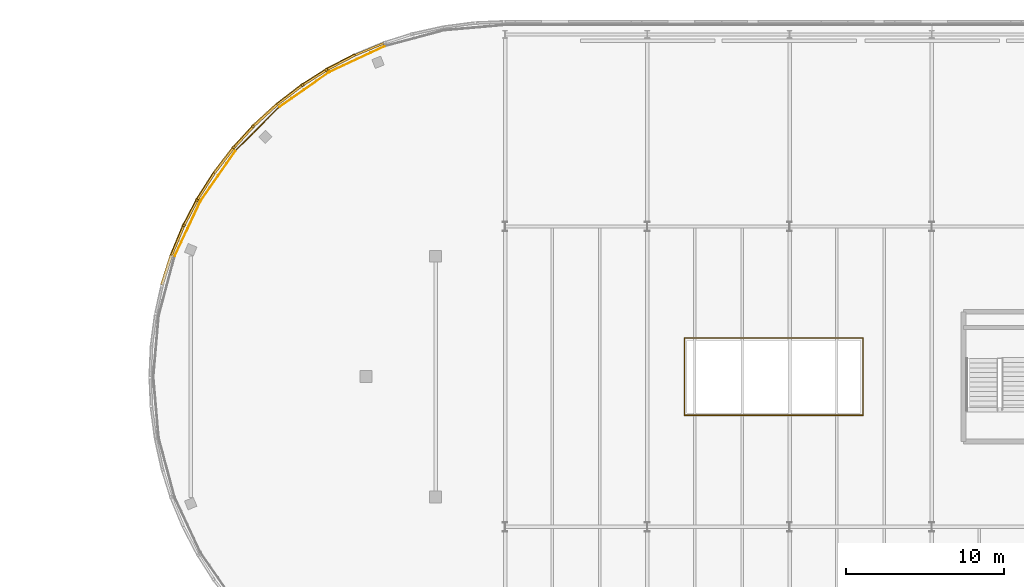
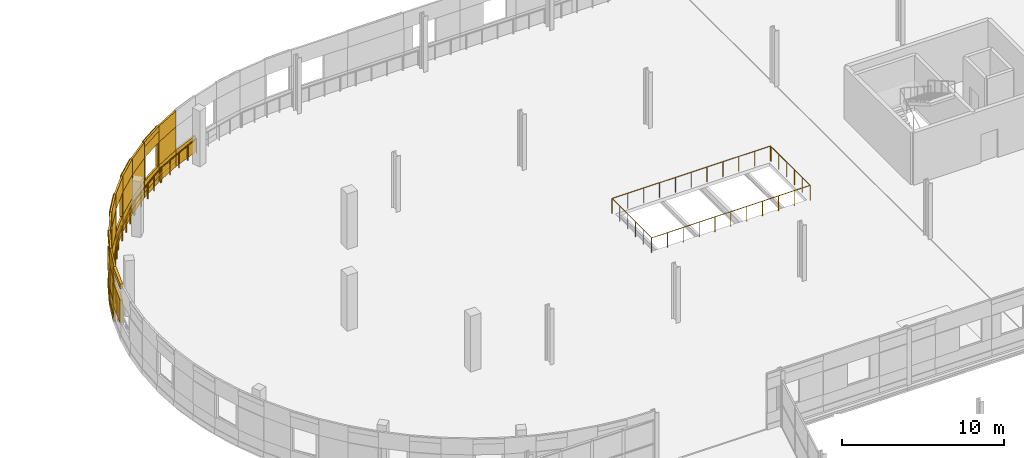
# One storey, part 122 of 132: 46 coverings, 7 railings.
"""IFC4 building model written with IfcOpenShell, lengths in metres."""

from ifc_helpers import new_model, si_unit, direction, frame, origin, origin_2d, place, context, subcontext, project, spatial, rectangle, circle, extrude, material, layer, layer_set, type_object, element, save


model = new_model("IFC4")

# Units and contexts
model_context = context("Model", 3, precision=1e-05, world=origin(), true_north=direction((0.0, 1.0)))
body_context = subcontext(model_context, "Body", "Model", "MODEL_VIEW")
ifc_project = project(units=[si_unit("LENGTHUNIT", "METRE"), si_unit("AREAUNIT", "SQUARE_METRE"), si_unit("VOLUMEUNIT", "CUBIC_METRE"), si_unit("PLANEANGLEUNIT", "RADIAN"), si_unit("MASSUNIT", "GRAM", prefix="KILO")], contexts=[model_context])

# Site, building, storey
site_placement = place(None, origin())
site = spatial("IfcSite", under=ifc_project, at=site_placement, CompositionType="ELEMENT")
building_placement = place(site_placement, origin())
building = spatial("IfcBuilding", under=site, at=building_placement, Name="Deido Ridge Mobility Hub", CompositionType="ELEMENT")
storey_placement = place(building_placement, frame((0.0, 0.0, 8.39990234375)))
storey = spatial("IfcBuildingStorey", under=building, at=storey_placement, Name="L02", CompositionType="ELEMENT", Elevation=8.39990234375)

# Coverings
ifc_material_1 = material(Name="Fired clay brick masonry", Category="masonry")
ifc_layer = layer(ifc_material_1, 0.114990234375, Name="Fired clay brick masonry")
ifc_layer_set = layer_set([ifc_layer], Name="Fired clay brick masonry")
covering_type = type_object("IfcCoveringType", Name="COV-BRK-SCREEN-115", PredefinedType="CLADDING", material=ifc_layer_set)
for number, where, z_axis, x_axis, name in (
    (1, (36.41796875, 124.218994140625, 0.0), (0.0, 0.0, 1.0), (-0.923872853285, -0.382699557047, 0.0), "Open brickwork spandrel course BKS1 (L02)"),
    (2, (34.644775390625, 123.392333984375, 0.0), (0.0, 0.0, 1.0), (-0.887018892077, -0.461733131905, 0.0), "Open brickwork spandrel course BKS1 (L02)"),
):
    element("IfcCovering", number, at=place(storey_placement, frame(where, z_axis=z_axis, x_axis=x_axis)), inside=storey, type_object=covering_type, Name=name, PredefinedType="CLADDING", context=body_context, shape_type="SweptSolid", body=[
        extrude(rectangle(XDim=1.9619140625, YDim=0.125, at=origin_2d()), origin(), (0.0, 0.0, 1.0), 1.25),
    ])
covering_1_placement = place(storey_placement, frame((34.632080078125, 123.416748046875, 0.000244140625), z_axis=(0.0, 0.0, 1.0), x_axis=(-0.887018892077, -0.461733131905, 0.0)))
element("IfcCovering", 3, at=covering_1_placement, inside=storey, type_object=covering_type, Name="Raised brick relief belt BKS1 (L02)", PredefinedType="CLADDING", context=body_context, shape_type="SweptSolid", body=[
    extrude(rectangle(XDim=1.9619140625, YDim=0.179931640625, at=origin_2d()), origin(), (0.0, 0.0, 1.0), 0.39990234375),
])
covering_2_placement = place(storey_placement, frame((34.644775390625, 123.392333984375, 3.0), z_axis=(0.0, 0.0, 1.0), x_axis=(-0.887018892077, -0.461733131905, 0.0)))
element("IfcCovering", 4, at=covering_2_placement, inside=storey, type_object=covering_type, Name="Open brickwork lintel course BKS1 (L02)", PredefinedType="CLADDING", context=body_context, shape_type="SweptSolid", body=[
    extrude(rectangle(XDim=1.9619140625, YDim=0.125, at=origin_2d()), origin(), (0.0, 0.0, 1.0), 1.199951171875),
])
covering_3_placement = place(storey_placement, frame((34.644775390625, 123.392333984375, 1.25), z_axis=(0.0, 0.0, 1.0), x_axis=(-0.887018892077, -0.461733131905, 0.0)))
element("IfcCovering", 5, at=covering_3_placement, inside=storey, type_object=covering_type, Name="Curved raised brickwork pier BKS1 (L02)", PredefinedType="CLADDING", context=body_context, shape_type="SweptSolid", body=[
    extrude(rectangle(XDim=1.9619140625, YDim=0.125, at=origin_2d()), origin(), (0.0, 0.0, 1.0), 1.75),
])
covering_4_placement = place(storey_placement, frame((32.950439453125, 122.4140625, 0.0), z_axis=(0.0, 0.0, 1.0), x_axis=(-0.843382068037, -0.537314328223, 0.0)))
element("IfcCovering", 6, at=covering_4_placement, inside=storey, type_object=covering_type, Name="Open brickwork spandrel course BKS1 (L02)", PredefinedType="CLADDING", context=body_context, shape_type="SweptSolid", body=[
    extrude(rectangle(XDim=1.9619140625, YDim=0.125, at=origin_2d()), origin(), (0.0, 0.0, 1.0), 1.25),
])
covering_5_placement = place(storey_placement, frame((32.935791015625, 122.437255859375, 0.000244140625), z_axis=(0.0, 0.0, 1.0), x_axis=(-0.843382068037, -0.537314328223, 0.0)))
element("IfcCovering", 7, at=covering_5_placement, inside=storey, type_object=covering_type, Name="Raised brick relief belt BKS1 (L02)", PredefinedType="CLADDING", context=body_context, shape_type="SweptSolid", body=[
    extrude(rectangle(XDim=1.9619140625, YDim=0.179931640625, at=origin_2d()), origin(), (0.0, 0.0, 1.0), 0.39990234375),
])
covering_6_placement = place(storey_placement, frame((32.950439453125, 122.4140625, 3.0), z_axis=(0.0, 0.0, 1.0), x_axis=(-0.843382068037, -0.537314328223, 0.0)))
element("IfcCovering", 8, at=covering_6_placement, inside=storey, type_object=covering_type, Name="Open brickwork lintel course BKS1 (L02)", PredefinedType="CLADDING", context=body_context, shape_type="SweptSolid", body=[
    extrude(rectangle(XDim=1.9619140625, YDim=0.125, at=origin_2d()), origin(), (0.0, 0.0, 1.0), 1.199951171875),
])
covering_7_placement = place(storey_placement, frame((32.935791015625, 122.437255859375, 3.83984375), z_axis=(0.0, 0.0, 1.0), x_axis=(-0.843382068037, -0.537314328223, 0.0)))
element("IfcCovering", 9, at=covering_7_placement, inside=storey, type_object=covering_type, Name="Raised brick relief cornice BKS1 (L02)", PredefinedType="CLADDING", context=body_context, shape_type="SweptSolid", body=[
    extrude(rectangle(XDim=1.9619140625, YDim=0.179931640625, at=origin_2d()), origin(), (0.0, 0.0, 1.0), 0.360107421875),
])
for number, where, z_axis, x_axis, name in (
    (10, (33.695556640625, 122.92138671875, 1.25), (0.0, 0.0, 1.0), (-0.843382068037, -0.537314328223, 0.0), "Curved brick jamb nib BKS1 (L02)"),
    (11, (32.17578125, 121.953125, 1.25), (0.0, 0.0, 1.0), (-0.843382068037, -0.537314328223, 0.0), "Curved brick jamb nib BKS1 (L02)"),
):
    element("IfcCovering", number, at=place(storey_placement, frame(where, z_axis=z_axis, x_axis=x_axis)), inside=storey, type_object=covering_type, Name=name, PredefinedType="CLADDING", context=body_context, shape_type="SweptSolid", body=[
        extrude(rectangle(XDim=0.152099609375, YDim=0.179931640625, at=origin_2d()), origin(), (0.0, 0.0, 1.0), 1.75),
    ])
covering_8_placement = place(storey_placement, frame((31.347900390625, 121.2919921875, 0.0), z_axis=(0.0, 0.0, 1.0), x_axis=(-0.793353340291, -0.608761429009, 0.0)))
element("IfcCovering", 12, at=covering_8_placement, inside=storey, type_object=covering_type, Name="Open brickwork spandrel course BKS1 (L02)", PredefinedType="CLADDING", context=body_context, shape_type="SweptSolid", body=[
    extrude(rectangle(XDim=1.9619140625, YDim=0.125, at=origin_2d()), origin(), (0.0, 0.0, 1.0), 1.25),
])
covering_9_placement = place(storey_placement, frame((31.3310546875, 121.313720703125, 0.000244140625), z_axis=(0.0, 0.0, 1.0), x_axis=(-0.793353340291, -0.608761429009, 0.0)))
element("IfcCovering", 13, at=covering_9_placement, inside=storey, type_object=covering_type, Name="Raised brick relief belt BKS1 (L02)", PredefinedType="CLADDING", context=body_context, shape_type="SweptSolid", body=[
    extrude(rectangle(XDim=1.9619140625, YDim=0.179931640625, at=origin_2d()), origin(), (0.0, 0.0, 1.0), 0.39990234375),
])
covering_10_placement = place(storey_placement, frame((31.347900390625, 121.2919921875, 3.0), z_axis=(0.0, 0.0, 1.0), x_axis=(-0.793353340291, -0.608761429009, 0.0)))
element("IfcCovering", 14, at=covering_10_placement, inside=storey, type_object=covering_type, Name="Open brickwork lintel course BKS1 (L02)", PredefinedType="CLADDING", context=body_context, shape_type="SweptSolid", body=[
    extrude(rectangle(XDim=1.9619140625, YDim=0.125, at=origin_2d()), origin(), (0.0, 0.0, 1.0), 1.199951171875),
])
covering_11_placement = place(storey_placement, frame((31.347900390625, 121.2919921875, 1.25), z_axis=(0.0, 0.0, 1.0), x_axis=(-0.793353340291, -0.608761429009, 0.0)))
element("IfcCovering", 15, at=covering_11_placement, inside=storey, type_object=covering_type, Name="Curved raised brickwork pier BKS1 (L02)", PredefinedType="CLADDING", context=body_context, shape_type="SweptSolid", body=[
    extrude(rectangle(XDim=1.9619140625, YDim=0.125, at=origin_2d()), origin(), (0.0, 0.0, 1.0), 1.75),
])
covering_12_placement = place(storey_placement, frame((29.84912109375, 120.0341796875, 0.0), z_axis=(0.0, 0.0, 1.0), x_axis=(-0.737289127971, -0.675577339596, 0.0)))
element("IfcCovering", 16, at=covering_12_placement, inside=storey, type_object=covering_type, Name="Open brickwork spandrel course BKS1 (L02)", PredefinedType="CLADDING", context=body_context, shape_type="SweptSolid", body=[
    extrude(rectangle(XDim=1.9619140625, YDim=0.125, at=origin_2d()), origin(), (0.0, 0.0, 1.0), 1.25),
])
covering_13_placement = place(storey_placement, frame((29.83056640625, 120.0546875, 0.000244140625), z_axis=(0.0, 0.0, 1.0), x_axis=(-0.737289127971, -0.675577339596, 0.0)))
element("IfcCovering", 17, at=covering_13_placement, inside=storey, type_object=covering_type, Name="Raised brick relief belt BKS1 (L02)", PredefinedType="CLADDING", context=body_context, shape_type="SweptSolid", body=[
    extrude(rectangle(XDim=1.9619140625, YDim=0.179931640625, at=origin_2d()), origin(), (0.0, 0.0, 1.0), 0.39990234375),
])
covering_14_placement = place(storey_placement, frame((29.84912109375, 120.0341796875, 3.0), z_axis=(0.0, 0.0, 1.0), x_axis=(-0.737289127971, -0.675577339596, 0.0)))
element("IfcCovering", 18, at=covering_14_placement, inside=storey, type_object=covering_type, Name="Open brickwork lintel course BKS1 (L02)", PredefinedType="CLADDING", context=body_context, shape_type="SweptSolid", body=[
    extrude(rectangle(XDim=1.9619140625, YDim=0.125, at=origin_2d()), origin(), (0.0, 0.0, 1.0), 1.199951171875),
])
covering_15_placement = place(storey_placement, frame((29.83056640625, 120.0546875, 3.83984375), z_axis=(0.0, 0.0, 1.0), x_axis=(-0.737289127971, -0.675577339596, 0.0)))
element("IfcCovering", 19, at=covering_15_placement, inside=storey, type_object=covering_type, Name="Raised brick relief cornice BKS1 (L02)", PredefinedType="CLADDING", context=body_context, shape_type="SweptSolid", body=[
    extrude(rectangle(XDim=1.9619140625, YDim=0.179931640625, at=origin_2d()), origin(), (0.0, 0.0, 1.0), 0.360107421875),
])
covering_16_placement = place(storey_placement, frame((29.83056640625, 120.0546875, 1.25), z_axis=(0.0, 0.0, 1.0), x_axis=(-0.737289127971, -0.675577339596, 0.0)))
element("IfcCovering", 20, at=covering_16_placement, inside=storey, type_object=covering_type, Name="Curved raised brickwork pier BKS1 (L02)", PredefinedType="CLADDING", context=body_context, shape_type="SweptSolid", body=[
    extrude(rectangle(XDim=1.9619140625, YDim=0.179931640625, at=origin_2d()), origin(), (0.0, 0.0, 1.0), 1.75),
])
covering_17_placement = place(storey_placement, frame((28.4658203125, 118.65087890625, 0.0), z_axis=(0.0, 0.0, 1.0), x_axis=(-0.675577339596, -0.737289127971, 0.0)))
element("IfcCovering", 21, at=covering_17_placement, inside=storey, type_object=covering_type, Name="Open brickwork spandrel course BKS1 (L02)", PredefinedType="CLADDING", context=body_context, shape_type="SweptSolid", body=[
    extrude(rectangle(XDim=1.9619140625, YDim=0.125, at=origin_2d()), origin(), (0.0, 0.0, 1.0), 1.25),
])
covering_18_placement = place(storey_placement, frame((28.4453125, 118.66943359375, 0.000244140625), z_axis=(0.0, 0.0, 1.0), x_axis=(-0.675577339596, -0.737289127971, 0.0)))
element("IfcCovering", 22, at=covering_18_placement, inside=storey, type_object=covering_type, Name="Raised brick relief belt BKS1 (L02)", PredefinedType="CLADDING", context=body_context, shape_type="SweptSolid", body=[
    extrude(rectangle(XDim=1.9619140625, YDim=0.179931640625, at=origin_2d()), origin(), (0.0, 0.0, 1.0), 0.39990234375),
])
covering_19_placement = place(storey_placement, frame((28.4658203125, 118.65087890625, 3.0), z_axis=(0.0, 0.0, 1.0), x_axis=(-0.675577339596, -0.737289127971, 0.0)))
element("IfcCovering", 23, at=covering_19_placement, inside=storey, type_object=covering_type, Name="Open brickwork lintel course BKS1 (L02)", PredefinedType="CLADDING", context=body_context, shape_type="SweptSolid", body=[
    extrude(rectangle(XDim=1.9619140625, YDim=0.125, at=origin_2d()), origin(), (0.0, 0.0, 1.0), 1.199951171875),
])
for number, where, z_axis, x_axis, name in (
    (24, (29.05419921875, 119.333740234375, 1.25), (0.0, 0.0, 1.0), (-0.675577339596, -0.737289127971, 0.0), "Curved brick jamb nib BKS1 (L02)"),
    (25, (27.836669921875, 118.005126953125, 1.25), (0.0, 0.0, 1.0), (-0.675577339596, -0.737289127971, 0.0), "Curved brick jamb nib BKS1 (L02)"),
):
    element("IfcCovering", number, at=place(storey_placement, frame(where, z_axis=z_axis, x_axis=x_axis)), inside=storey, type_object=covering_type, Name=name, PredefinedType="CLADDING", context=body_context, shape_type="SweptSolid", body=[
        extrude(rectangle(XDim=0.152099609375, YDim=0.179931640625, at=origin_2d()), origin(), (0.0, 0.0, 1.0), 1.75),
    ])
covering_20_placement = place(storey_placement, frame((27.2080078125, 117.152099609375, 0.0), z_axis=(0.0, 0.0, 1.0), x_axis=(-0.608761429009, -0.793353340291, 0.0)))
element("IfcCovering", 26, at=covering_20_placement, inside=storey, type_object=covering_type, Name="Open brickwork spandrel course BKS1 (L02)", PredefinedType="CLADDING", context=body_context, shape_type="SweptSolid", body=[
    extrude(rectangle(XDim=1.9619140625, YDim=0.125, at=origin_2d()), origin(), (0.0, 0.0, 1.0), 1.25),
])
covering_21_placement = place(storey_placement, frame((27.186279296875, 117.1689453125, 0.000244140625), z_axis=(0.0, 0.0, 1.0), x_axis=(-0.608761429009, -0.793353340291, 0.0)))
element("IfcCovering", 27, at=covering_21_placement, inside=storey, type_object=covering_type, Name="Raised brick relief belt BKS1 (L02)", PredefinedType="CLADDING", context=body_context, shape_type="SweptSolid", body=[
    extrude(rectangle(XDim=1.9619140625, YDim=0.179931640625, at=origin_2d()), origin(), (0.0, 0.0, 1.0), 0.39990234375),
])
covering_22_placement = place(storey_placement, frame((27.2080078125, 117.152099609375, 3.0), z_axis=(0.0, 0.0, 1.0), x_axis=(-0.608761429009, -0.793353340291, 0.0)))
element("IfcCovering", 28, at=covering_22_placement, inside=storey, type_object=covering_type, Name="Open brickwork lintel course BKS1 (L02)", PredefinedType="CLADDING", context=body_context, shape_type="SweptSolid", body=[
    extrude(rectangle(XDim=1.9619140625, YDim=0.125, at=origin_2d()), origin(), (0.0, 0.0, 1.0), 1.199951171875),
])
covering_23_placement = place(storey_placement, frame((27.186279296875, 117.1689453125, 3.83984375), z_axis=(0.0, 0.0, 1.0), x_axis=(-0.608761429009, -0.793353340291, 0.0)))
element("IfcCovering", 29, at=covering_23_placement, inside=storey, type_object=covering_type, Name="Raised brick relief cornice BKS1 (L02)", PredefinedType="CLADDING", context=body_context, shape_type="SweptSolid", body=[
    extrude(rectangle(XDim=1.9619140625, YDim=0.179931640625, at=origin_2d()), origin(), (0.0, 0.0, 1.0), 0.360107421875),
])
covering_24_placement = place(storey_placement, frame((27.186279296875, 117.1689453125, 1.25), z_axis=(0.0, 0.0, 1.0), x_axis=(-0.608761429009, -0.793353340291, 0.0)))
element("IfcCovering", 30, at=covering_24_placement, inside=storey, type_object=covering_type, Name="Curved raised brickwork pier BKS1 (L02)", PredefinedType="CLADDING", context=body_context, shape_type="SweptSolid", body=[
    extrude(rectangle(XDim=1.9619140625, YDim=0.179931640625, at=origin_2d()), origin(), (0.0, 0.0, 1.0), 1.75),
])
covering_25_placement = place(storey_placement, frame((26.0859375, 115.549560546875, 0.0), z_axis=(0.0, 0.0, 1.0), x_axis=(-0.537314328223, -0.843382068037, 0.0)))
element("IfcCovering", 31, at=covering_25_placement, inside=storey, type_object=covering_type, Name="Open brickwork spandrel course BKS1 (L02)", PredefinedType="CLADDING", context=body_context, shape_type="SweptSolid", body=[
    extrude(rectangle(XDim=1.9619140625, YDim=0.125, at=origin_2d()), origin(), (0.0, 0.0, 1.0), 1.25),
])
covering_26_placement = place(storey_placement, frame((26.062744140625, 115.564208984375, 0.000244140625), z_axis=(0.0, 0.0, 1.0), x_axis=(-0.537314328223, -0.843382068037, 0.0)))
element("IfcCovering", 32, at=covering_26_placement, inside=storey, type_object=covering_type, Name="Raised brick relief belt BKS1 (L02)", PredefinedType="CLADDING", context=body_context, shape_type="SweptSolid", body=[
    extrude(rectangle(XDim=1.9619140625, YDim=0.179931640625, at=origin_2d()), origin(), (0.0, 0.0, 1.0), 0.39990234375),
])
covering_27_placement = place(storey_placement, frame((26.0859375, 115.549560546875, 3.0), z_axis=(0.0, 0.0, 1.0), x_axis=(-0.537314328223, -0.843382068037, 0.0)))
element("IfcCovering", 33, at=covering_27_placement, inside=storey, type_object=covering_type, Name="Open brickwork lintel course BKS1 (L02)", PredefinedType="CLADDING", context=body_context, shape_type="SweptSolid", body=[
    extrude(rectangle(XDim=1.9619140625, YDim=0.125, at=origin_2d()), origin(), (0.0, 0.0, 1.0), 1.199951171875),
])
covering_28_placement = place(storey_placement, frame((26.0859375, 115.549560546875, 1.25), z_axis=(0.0, 0.0, 1.0), x_axis=(-0.537314328223, -0.843382068037, 0.0)))
element("IfcCovering", 34, at=covering_28_placement, inside=storey, type_object=covering_type, Name="Curved raised brickwork pier BKS1 (L02)", PredefinedType="CLADDING", context=body_context, shape_type="SweptSolid", body=[
    extrude(rectangle(XDim=1.9619140625, YDim=0.125, at=origin_2d()), origin(), (0.0, 0.0, 1.0), 1.75),
])
covering_29_placement = place(storey_placement, frame((25.107666015625, 113.855224609375, 0.0), z_axis=(0.0, 0.0, 1.0), x_axis=(-0.461733131905, -0.887018892077, 0.0)))
element("IfcCovering", 35, at=covering_29_placement, inside=storey, type_object=covering_type, Name="Open brickwork spandrel course BKS1 (L02)", PredefinedType="CLADDING", context=body_context, shape_type="SweptSolid", body=[
    extrude(rectangle(XDim=1.9619140625, YDim=0.125, at=origin_2d()), origin(), (0.0, 0.0, 1.0), 1.25),
])
covering_30_placement = place(storey_placement, frame((25.083251953125, 113.867919921875, 0.000244140625), z_axis=(0.0, 0.0, 1.0), x_axis=(-0.461733131905, -0.887018892077, 0.0)))
element("IfcCovering", 36, at=covering_30_placement, inside=storey, type_object=covering_type, Name="Raised brick relief belt BKS1 (L02)", PredefinedType="CLADDING", context=body_context, shape_type="SweptSolid", body=[
    extrude(rectangle(XDim=1.9619140625, YDim=0.179931640625, at=origin_2d()), origin(), (0.0, 0.0, 1.0), 0.39990234375),
])
covering_31_placement = place(storey_placement, frame((25.107666015625, 113.855224609375, 3.0), z_axis=(0.0, 0.0, 1.0), x_axis=(-0.461733131905, -0.887018892077, 0.0)))
element("IfcCovering", 37, at=covering_31_placement, inside=storey, type_object=covering_type, Name="Open brickwork lintel course BKS1 (L02)", PredefinedType="CLADDING", context=body_context, shape_type="SweptSolid", body=[
    extrude(rectangle(XDim=1.9619140625, YDim=0.125, at=origin_2d()), origin(), (0.0, 0.0, 1.0), 1.199951171875),
])
covering_32_placement = place(storey_placement, frame((25.083251953125, 113.867919921875, 3.83984375), z_axis=(0.0, 0.0, 1.0), x_axis=(-0.461733131905, -0.887018892077, 0.0)))
element("IfcCovering", 38, at=covering_32_placement, inside=storey, type_object=covering_type, Name="Raised brick relief cornice BKS1 (L02)", PredefinedType="CLADDING", context=body_context, shape_type="SweptSolid", body=[
    extrude(rectangle(XDim=1.9619140625, YDim=0.179931640625, at=origin_2d()), origin(), (0.0, 0.0, 1.0), 0.360107421875),
])
for number, where, z_axis, x_axis, name in (
    (39, (25.49951171875, 114.667236328125, 1.25), (0.0, 0.0, 1.0), (-0.461733131905, -0.887018892077, 0.0), "Curved brick jamb nib BKS1 (L02)"),
    (40, (24.667236328125, 113.068603515625, 1.25), (0.0, 0.0, 1.0), (-0.461733131905, -0.887018892077, 0.0), "Curved brick jamb nib BKS1 (L02)"),
):
    element("IfcCovering", number, at=place(storey_placement, frame(where, z_axis=z_axis, x_axis=x_axis)), inside=storey, type_object=covering_type, Name=name, PredefinedType="CLADDING", context=body_context, shape_type="SweptSolid", body=[
        extrude(rectangle(XDim=0.152099609375, YDim=0.179931640625, at=origin_2d()), origin(), (0.0, 0.0, 1.0), 1.75),
    ])
covering_33_placement = place(storey_placement, frame((24.281005859375, 112.08203125, 0.0), z_axis=(0.0, 0.0, 1.0), x_axis=(-0.382699557047, -0.923872853285, 0.0)))
element("IfcCovering", 41, at=covering_33_placement, inside=storey, type_object=covering_type, Name="Open brickwork spandrel course BKS1 (L02)", PredefinedType="CLADDING", context=body_context, shape_type="SweptSolid", body=[
    extrude(rectangle(XDim=1.9619140625, YDim=0.125, at=origin_2d()), origin(), (0.0, 0.0, 1.0), 1.25),
])
covering_34_placement = place(storey_placement, frame((24.255615234375, 112.0927734375, 0.000244140625), z_axis=(0.0, 0.0, 1.0), x_axis=(-0.382699557047, -0.923872853285, 0.0)))
element("IfcCovering", 42, at=covering_34_placement, inside=storey, type_object=covering_type, Name="Raised brick relief belt BKS1 (L02)", PredefinedType="CLADDING", context=body_context, shape_type="SweptSolid", body=[
    extrude(rectangle(XDim=1.9619140625, YDim=0.179931640625, at=origin_2d()), origin(), (0.0, 0.0, 1.0), 0.39990234375),
])
covering_35_placement = place(storey_placement, frame((24.281005859375, 112.08203125, 3.0), z_axis=(0.0, 0.0, 1.0), x_axis=(-0.382699557047, -0.923872853285, 0.0)))
element("IfcCovering", 43, at=covering_35_placement, inside=storey, type_object=covering_type, Name="Open brickwork lintel course BKS1 (L02)", PredefinedType="CLADDING", context=body_context, shape_type="SweptSolid", body=[
    extrude(rectangle(XDim=1.9619140625, YDim=0.125, at=origin_2d()), origin(), (0.0, 0.0, 1.0), 1.199951171875),
])
covering_36_placement = place(storey_placement, frame((24.281005859375, 112.08203125, 1.25), z_axis=(0.0, 0.0, 1.0), x_axis=(-0.382699557047, -0.923872853285, 0.0)))
element("IfcCovering", 44, at=covering_36_placement, inside=storey, type_object=covering_type, Name="Curved raised brickwork pier BKS1 (L02)", PredefinedType="CLADDING", context=body_context, shape_type="SweptSolid", body=[
    extrude(rectangle(XDim=1.9619140625, YDim=0.125, at=origin_2d()), origin(), (0.0, 0.0, 1.0), 1.75),
])
covering_37_placement = place(storey_placement, frame((23.585693359375, 110.251953125, 3.83984375), z_axis=(0.0, 0.0, 1.0), x_axis=(-0.300672508319, -0.95372744678, 0.0)))
element("IfcCovering", 45, at=covering_37_placement, inside=storey, type_object=covering_type, Name="Raised brick relief cornice BKS1 (L02)", PredefinedType="CLADDING", context=body_context, shape_type="SweptSolid", body=[
    extrude(rectangle(XDim=1.9619140625, YDim=0.179931640625, at=origin_2d()), origin(), (0.0, 0.0, 1.0), 0.360107421875),
])
covering_38_placement = place(storey_placement, frame((23.585693359375, 110.251953125, 1.25), z_axis=(0.0, 0.0, 1.0), x_axis=(-0.300672508319, -0.95372744678, 0.0)))
element("IfcCovering", 46, at=covering_38_placement, inside=storey, type_object=covering_type, Name="Curved raised brickwork pier BKS1 (L02)", PredefinedType="CLADDING", context=body_context, shape_type="SweptSolid", body=[
    extrude(rectangle(XDim=1.9619140625, YDim=0.179931640625, at=origin_2d()), origin(), (0.0, 0.0, 1.0), 1.75),
])

# Railings
ifc_material_2 = material(Name="Galvanised steel work", Category="steel")
railing_type = type_object("IfcRailingType", Name="RL-GRD-EXT-1150", PredefinedType="GUARDRAIL", material=ifc_material_2)
railing_1_placement = place(storey_placement, frame((37.353759765625, 124.391357421875, 0.0)))
element("IfcRailing", 47, at=railing_1_placement, inside=storey, type_object=railing_type, Name="Parking drum perimeter guard (L02)", PredefinedType="GUARDRAIL", context=body_context, shape_type="SweptSolid", body=[
    extrude(circle(Radius=0.02392578125, at=origin_2d()), frame((0.0, 0.0, 1.1259765625), z_axis=(-0.906281639574, -0.422674330627, 0.0), x_axis=(0.422674330627, -0.906281639574, 0.0)), (0.0, 0.0, 1.0), 3.79833984375),
    extrude(circle(Radius=0.02099609375, at=origin_2d()), origin(), (0.0, 0.0, 1.0), 1.101806640625),
    extrude(circle(Radius=0.02099609375, at=origin_2d()), frame((-0.860595703125, -0.4013671875, 0.0)), (0.0, 0.0, 1.0), 1.101806640625),
    extrude(circle(Radius=0.02099609375, at=origin_2d()), frame((-1.72119140625, -0.802734375, 0.0)), (0.0, 0.0, 1.0), 1.101806640625),
    extrude(circle(Radius=0.02099609375, at=origin_2d()), frame((-2.581787109375, -1.2041015625, 0.0)), (0.0, 0.0, 1.0), 1.101806640625),
    extrude(circle(Radius=0.02099609375, at=origin_2d()), frame((-3.4423828125, -1.60546875, 0.0)), (0.0, 0.0, 1.0), 1.101806640625),
])
railing_2_placement = place(storey_placement, frame((33.84228515625, 122.74609375, 0.0)))
element("IfcRailing", 48, at=railing_2_placement, inside=storey, type_object=railing_type, Name="Parking drum perimeter guard (L02)", PredefinedType="GUARDRAIL", context=body_context, shape_type="SweptSolid", body=[
    extrude(circle(Radius=0.02392578125, at=origin_2d()), frame((0.0, 0.0, 1.1259765625), z_axis=(-0.819156425271, -0.573570179609, 0.0), x_axis=(0.573570179609, -0.819156425271, 0.0)), (0.0, 0.0, 1.0), 3.798583984375),
    extrude(circle(Radius=0.02099609375, at=origin_2d()), origin(), (0.0, 0.0, 1.0), 1.101806640625),
    extrude(circle(Radius=0.02099609375, at=origin_2d()), frame((-0.77783203125, -0.544677734375, 0.0)), (0.0, 0.0, 1.0), 1.101806640625),
    extrude(circle(Radius=0.02099609375, at=origin_2d()), frame((-1.5556640625, -1.08935546875, 0.0)), (0.0, 0.0, 1.0), 1.101806640625),
    extrude(circle(Radius=0.02099609375, at=origin_2d()), frame((-2.333740234375, -1.634033203125, 0.0)), (0.0, 0.0, 1.0), 1.101806640625),
    extrude(circle(Radius=0.02099609375, at=origin_2d()), frame((-3.111572265625, -2.1787109375, 0.0)), (0.0, 0.0, 1.0), 1.101806640625),
])
railing_3_placement = place(storey_placement, frame((30.669677734375, 120.51611328125, 0.0)))
element("IfcRailing", 49, at=railing_3_placement, inside=storey, type_object=railing_type, Name="Parking drum perimeter guard (L02)", PredefinedType="GUARDRAIL", context=body_context, shape_type="SweptSolid", body=[
    extrude(circle(Radius=0.02392578125, at=origin_2d()), frame((0.0, 0.0, 1.1259765625), z_axis=(-0.707106781187, -0.707106781187, 0.0), x_axis=(0.707106781187, -0.707106781187, 0.0)), (0.0, 0.0, 1.0), 3.79833984375),
    extrude(circle(Radius=0.02099609375, at=origin_2d()), origin(), (0.0, 0.0, 1.0), 1.101806640625),
    extrude(circle(Radius=0.02099609375, at=origin_2d()), frame((-0.67138671875, -0.67138671875, 0.0)), (0.0, 0.0, 1.0), 1.101806640625),
    extrude(circle(Radius=0.02099609375, at=origin_2d()), frame((-1.3427734375, -1.3427734375, 0.0)), (0.0, 0.0, 1.0), 1.101806640625),
    extrude(circle(Radius=0.02099609375, at=origin_2d()), frame((-2.014404296875, -2.014404296875, 0.0)), (0.0, 0.0, 1.0), 1.101806640625),
    extrude(circle(Radius=0.02099609375, at=origin_2d()), frame((-2.685791015625, -2.685791015625, 0.0)), (0.0, 0.0, 1.0), 1.101806640625),
])
railing_4_placement = place(storey_placement, frame((27.9326171875, 117.769287109375, 0.0)))
element("IfcRailing", 50, at=railing_4_placement, inside=storey, type_object=railing_type, Name="Parking drum perimeter guard (L02)", PredefinedType="GUARDRAIL", context=body_context, shape_type="SweptSolid", body=[
    extrude(circle(Radius=0.02392578125, at=origin_2d()), frame((0.0, 0.0, 1.1259765625), z_axis=(-0.573570179609, -0.819156425271, 0.0), x_axis=(0.819156425271, -0.573570179609, 0.0)), (0.0, 0.0, 1.0), 3.798583984375),
    extrude(circle(Radius=0.02099609375, at=origin_2d()), origin(), (0.0, 0.0, 1.0), 1.101806640625),
    extrude(circle(Radius=0.02099609375, at=origin_2d()), frame((-0.544677734375, -0.77783203125, 0.0)), (0.0, 0.0, 1.0), 1.101806640625),
    extrude(circle(Radius=0.02099609375, at=origin_2d()), frame((-1.08935546875, -1.5556640625, 0.0)), (0.0, 0.0, 1.0), 1.101806640625),
    extrude(circle(Radius=0.02099609375, at=origin_2d()), frame((-1.634033203125, -2.333740234375, 0.0)), (0.0, 0.0, 1.0), 1.101806640625),
    extrude(circle(Radius=0.02099609375, at=origin_2d()), frame((-2.1787109375, -3.111572265625, 0.0)), (0.0, 0.0, 1.0), 1.101806640625),
])
railing_5_placement = place(storey_placement, frame((25.714111328125, 114.588623046875, 0.0)))
element("IfcRailing", 51, at=railing_5_placement, inside=storey, type_object=railing_type, Name="Parking drum perimeter guard (L02)", PredefinedType="GUARDRAIL", context=body_context, shape_type="SweptSolid", body=[
    extrude(circle(Radius=0.02392578125, at=origin_2d()), frame((0.0, 0.0, 1.1259765625), z_axis=(-0.422674330627, -0.906281639574, 0.0), x_axis=(0.906281639574, -0.422674330627, 0.0)), (0.0, 0.0, 1.0), 3.79833984375),
    extrude(circle(Radius=0.02099609375, at=origin_2d()), origin(), (0.0, 0.0, 1.0), 1.101806640625),
    extrude(circle(Radius=0.02099609375, at=origin_2d()), frame((-0.4013671875, -0.860595703125, 0.0)), (0.0, 0.0, 1.0), 1.101806640625),
    extrude(circle(Radius=0.02099609375, at=origin_2d()), frame((-0.802734375, -1.72119140625, 0.0)), (0.0, 0.0, 1.0), 1.101806640625),
    extrude(circle(Radius=0.02099609375, at=origin_2d()), frame((-1.2041015625, -2.581787109375, 0.0)), (0.0, 0.0, 1.0), 1.101806640625),
    extrude(circle(Radius=0.02099609375, at=origin_2d()), frame((-1.60546875, -3.4423828125, 0.0)), (0.0, 0.0, 1.0), 1.101806640625),
])
railing_6_placement = place(storey_placement, frame((56.35009765625, 101.050048828125, 0.0)))
element("IfcRailing", 52, at=railing_6_placement, inside=storey, type_object=railing_type, Name="Parking west lightwell guard (L02) A", PredefinedType="GUARDRAIL", context=body_context, shape_type="SweptSolid", body=[
    extrude(circle(Radius=0.02392578125, at=origin_2d()), frame((0.0, 0.0, 1.1259765625), z_axis=(1.0, 0.0, 0.0), x_axis=(0.0, 1.0, 0.0)), (0.0, 0.0, 1.0), 11.2998046875),
    extrude(circle(Radius=0.02392578125, at=origin_2d()), frame((11.2998046875, 0.0, 1.1259765625), z_axis=(0.0, 1.0, 0.0), x_axis=(-1.0, 0.0, 0.0)), (0.0, 0.0, 1.0), 4.83984375),
    extrude(circle(Radius=0.02099609375, at=origin_2d()), origin(), (0.0, 0.0, 1.0), 1.101806640625),
    extrude(circle(Radius=0.02099609375, at=origin_2d()), frame((1.1298828125, 0.0, 0.0)), (0.0, 0.0, 1.0), 1.101806640625),
    extrude(circle(Radius=0.02099609375, at=origin_2d()), frame((2.260009765625, 0.0, 0.0)), (0.0, 0.0, 1.0), 1.101806640625),
    extrude(circle(Radius=0.02099609375, at=origin_2d()), frame((3.389892578125, 0.0, 0.0)), (0.0, 0.0, 1.0), 1.101806640625),
    extrude(circle(Radius=0.02099609375, at=origin_2d()), frame((4.52001953125, 0.0, 0.0)), (0.0, 0.0, 1.0), 1.101806640625),
    extrude(circle(Radius=0.02099609375, at=origin_2d()), frame((5.64990234375, 0.0, 0.0)), (0.0, 0.0, 1.0), 1.101806640625),
    extrude(circle(Radius=0.02099609375, at=origin_2d()), frame((6.77978515625, 0.0, 0.0)), (0.0, 0.0, 1.0), 1.101806640625),
    extrude(circle(Radius=0.02099609375, at=origin_2d()), frame((7.909912109375, 0.0, 0.0)), (0.0, 0.0, 1.0), 1.101806640625),
    extrude(circle(Radius=0.02099609375, at=origin_2d()), frame((9.039794921875, 0.0, 0.0)), (0.0, 0.0, 1.0), 1.101806640625),
    extrude(circle(Radius=0.02099609375, at=origin_2d()), frame((10.169921875, 0.0, 0.0)), (0.0, 0.0, 1.0), 1.101806640625),
    extrude(circle(Radius=0.02099609375, at=origin_2d()), frame((11.2998046875, 0.0, 0.0)), (0.0, 0.0, 1.0), 1.101806640625),
    extrude(circle(Radius=0.02099609375, at=origin_2d()), frame((11.2998046875, 0.968017578125, 0.0)), (0.0, 0.0, 1.0), 1.101806640625),
    extrude(circle(Radius=0.02099609375, at=origin_2d()), frame((11.2998046875, 1.93603515625, 0.0)), (0.0, 0.0, 1.0), 1.101806640625),
    extrude(circle(Radius=0.02099609375, at=origin_2d()), frame((11.2998046875, 2.90380859375, 0.0)), (0.0, 0.0, 1.0), 1.101806640625),
    extrude(circle(Radius=0.02099609375, at=origin_2d()), frame((11.2998046875, 3.871826171875, 0.0)), (0.0, 0.0, 1.0), 1.101806640625),
    extrude(circle(Radius=0.02099609375, at=origin_2d()), frame((11.2998046875, 4.83984375, 0.0)), (0.0, 0.0, 1.0), 1.101806640625),
])
railing_7_placement = place(storey_placement, frame((67.64990234375, 105.949951171875, 0.0)))
element("IfcRailing", 53, at=railing_7_placement, inside=storey, type_object=railing_type, Name="Parking west lightwell guard (L02) B", PredefinedType="GUARDRAIL", context=body_context, shape_type="SweptSolid", body=[
    extrude(circle(Radius=0.02392578125, at=origin_2d()), frame((0.0, 0.0, 1.1259765625), z_axis=(-1.0, 0.0, 0.0), x_axis=(0.0, -1.0, 0.0)), (0.0, 0.0, 1.0), 11.2998046875),
    extrude(circle(Radius=0.02392578125, at=origin_2d()), frame((-11.2998046875, 0.0, 1.1259765625), z_axis=(0.0, -1.0, 0.0), x_axis=(1.0, 0.0, 0.0)), (0.0, 0.0, 1.0), 4.83984375),
    extrude(circle(Radius=0.02099609375, at=origin_2d()), origin(), (0.0, 0.0, 1.0), 1.101806640625),
    extrude(circle(Radius=0.02099609375, at=origin_2d()), frame((-1.1298828125, 0.0, 0.0)), (0.0, 0.0, 1.0), 1.101806640625),
    extrude(circle(Radius=0.02099609375, at=origin_2d()), frame((-2.260009765625, 0.0, 0.0)), (0.0, 0.0, 1.0), 1.101806640625),
    extrude(circle(Radius=0.02099609375, at=origin_2d()), frame((-3.389892578125, 0.0, 0.0)), (0.0, 0.0, 1.0), 1.101806640625),
    extrude(circle(Radius=0.02099609375, at=origin_2d()), frame((-4.52001953125, 0.0, 0.0)), (0.0, 0.0, 1.0), 1.101806640625),
    extrude(circle(Radius=0.02099609375, at=origin_2d()), frame((-5.64990234375, 0.0, 0.0)), (0.0, 0.0, 1.0), 1.101806640625),
    extrude(circle(Radius=0.02099609375, at=origin_2d()), frame((-6.77978515625, 0.0, 0.0)), (0.0, 0.0, 1.0), 1.101806640625),
    extrude(circle(Radius=0.02099609375, at=origin_2d()), frame((-7.909912109375, 0.0, 0.0)), (0.0, 0.0, 1.0), 1.101806640625),
    extrude(circle(Radius=0.02099609375, at=origin_2d()), frame((-9.039794921875, 0.0, 0.0)), (0.0, 0.0, 1.0), 1.101806640625),
    extrude(circle(Radius=0.02099609375, at=origin_2d()), frame((-10.169921875, 0.0, 0.0)), (0.0, 0.0, 1.0), 1.101806640625),
    extrude(circle(Radius=0.02099609375, at=origin_2d()), frame((-11.2998046875, 0.0, 0.0)), (0.0, 0.0, 1.0), 1.101806640625),
    extrude(circle(Radius=0.02099609375, at=origin_2d()), frame((-11.2998046875, -0.968017578125, 0.0)), (0.0, 0.0, 1.0), 1.101806640625),
    extrude(circle(Radius=0.02099609375, at=origin_2d()), frame((-11.2998046875, -1.93603515625, 0.0)), (0.0, 0.0, 1.0), 1.101806640625),
    extrude(circle(Radius=0.02099609375, at=origin_2d()), frame((-11.2998046875, -2.90380859375, 0.0)), (0.0, 0.0, 1.0), 1.101806640625),
    extrude(circle(Radius=0.02099609375, at=origin_2d()), frame((-11.2998046875, -3.871826171875, 0.0)), (0.0, 0.0, 1.0), 1.101806640625),
    extrude(circle(Radius=0.02099609375, at=origin_2d()), frame((-11.2998046875, -4.83984375, 0.0)), (0.0, 0.0, 1.0), 1.101806640625),
])

save(model, "model.ifc")
